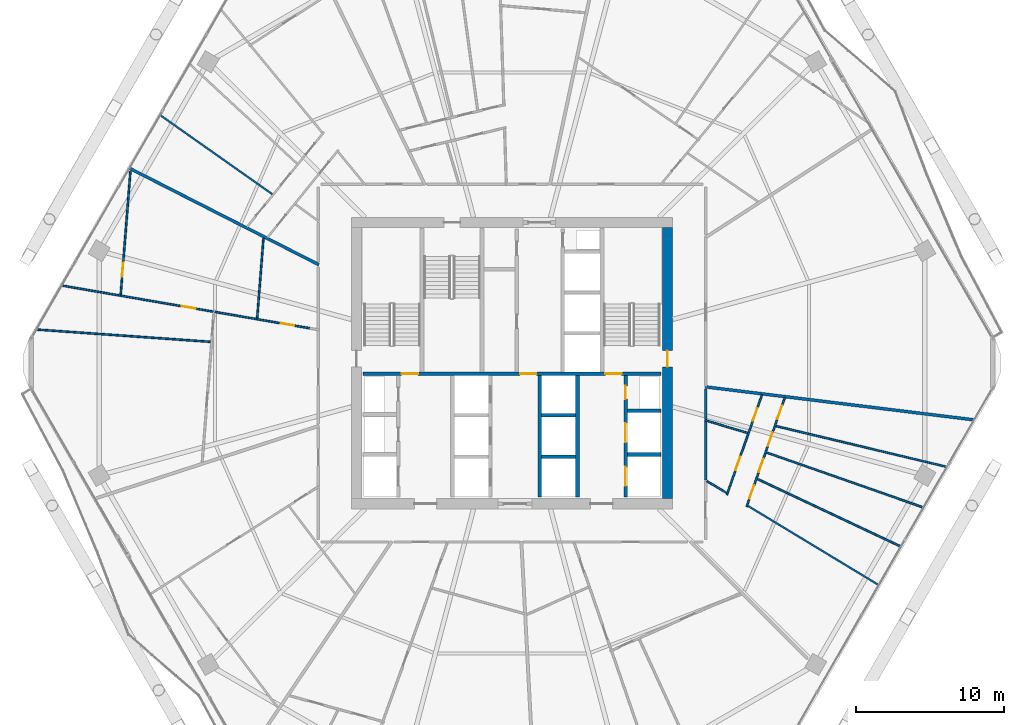
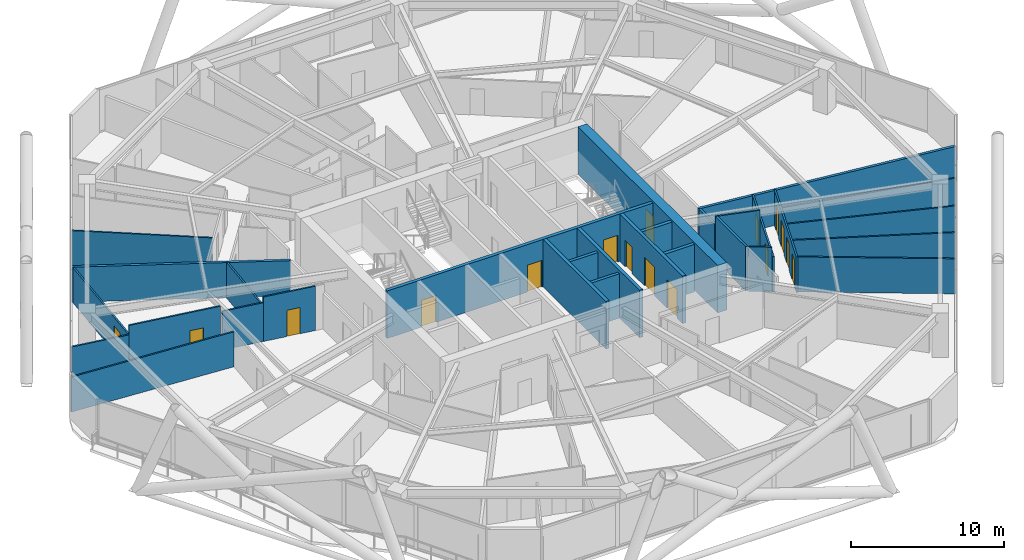
# One storey, part 29 of 35: 29 walls, 16 doors, 16 openings.
"""IFC4 building model written with IfcOpenShell, lengths in metres."""

from ifc_helpers import new_model, si_unit, direction, frame, frame_2d, origin, place, context, subcontext, project, spatial, rectangle, extrude, material, layer, layer_set, type_object, element, fill, save


model = new_model("IFC4")

# Units and contexts
model_context = context("Model", 3, precision=1e-05, world=origin(), true_north=direction((0.0, 1.0)))
body_context = subcontext(model_context, "Body", "Model", "MODEL_VIEW")
ifc_project = project(units=[si_unit("LENGTHUNIT", "METRE"), si_unit("AREAUNIT", "SQUARE_METRE"), si_unit("VOLUMEUNIT", "CUBIC_METRE"), si_unit("PLANEANGLEUNIT", "RADIAN"), si_unit("MASSUNIT", "GRAM", prefix="KILO")], contexts=[model_context])

# Site, building, storey
site_placement = place(None, origin())
site = spatial("IfcSite", under=ifc_project, at=site_placement, CompositionType="ELEMENT")
building_placement = place(site_placement, origin())
building = spatial("IfcBuilding", under=site, at=building_placement, Name="Zuhravey Tower", CompositionType="ELEMENT")
storey_placement = place(building_placement, frame((0.0, 0.0, 122.800048828125)))
storey = spatial("IfcBuildingStorey", under=building, at=storey_placement, Name="L30", CompositionType="ELEMENT", Elevation=122.800048828125)

# Wall, opening, door
ifc_material_1 = material(Name="Concrete C60/75", Category="concrete")
ifc_layer_1 = layer(ifc_material_1, 0.699951171875)
ifc_layer_set_1 = layer_set([ifc_layer_1], Name="Concrete C60/75")
wall_type_1 = type_object("IfcWallType", Name="Core Shear Wall 700", PredefinedType="SHEAR", material=ifc_layer_set_1)
wall_1_placement = place(storey_placement, frame((46.5, 22.85009765625, 0.0), z_axis=(0.0, 0.0, 1.0), x_axis=(0.0, 1.0, 0.0)))
wall_1 = element("IfcWall", 1, at=wall_1_placement, inside=storey, type_object=wall_type_1, Name="L30 East Core Shear Wall CW70", PredefinedType="SHEAR", context=body_context, shape_type="SweptSolid", body=[
    extrude(rectangle(XDim=18.2998046875, YDim=0.699951171875, at=frame_2d((9.14990234375, 0.0))), origin(), (0.0, 0.0, 1.0), 3.800048828125),
])
opening_1_placement = place(wall_1_placement, frame((8.89990234375, 0.0, 0.0)))
opening_1 = element("IfcOpeningElement", 2, at=opening_1_placement, cuts=wall_1, Name="Opening STD1", PredefinedType="OPENING", context=body_context, shape_type="SweptSolid", body=[
    extrude(rectangle(XDim=1.10009765625, YDim=2.14990234375, at=frame_2d((0.550048828125, 1.074951171875))), frame((0.0, 0.362060546875, 0.0), z_axis=(0.0, -1.0, 0.0), x_axis=(1.0, 0.0, 0.0)), (0.0, 0.0, 1.0), 0.723876953125),
])
ifc_material_2 = material(Name="Galvanised fire-rated steel leaf", Category="steel")
door_type_1 = type_object("IfcDoorType", Name="Protected Stair Fire Door 1100x2150", OperationType="NOTDEFINED", PredefinedType="USERDEFINED", material=ifc_material_2)
door_1_placement = place(opening_1_placement, origin())
door_1 = element("IfcDoor", 3, at=door_1_placement, inside=storey, type_object=door_type_1, Name="L30 Stair ST2 Door", ObjectType="EXITDOOR", OperationType="SINGLE_SWING_LEFT", OverallHeight=2.14990234375, OverallWidth=1.10009765625, PredefinedType="USERDEFINED", context=body_context, shape_type="SweptSolid", body=[
    extrude(rectangle(XDim=1.10009765625, YDim=2.14990234375, at=frame_2d((0.550048828125, 1.074951171875))), frame((0.0, 0.02490234375, 0.0), z_axis=(0.0, -1.0, 0.0), x_axis=(1.0, 0.0, 0.0)), (0.0, 0.0, 1.0), 0.050048828125),
])
fill(opening_1, door_1)

# Walls
ifc_material_3 = material(Name="Gypsum fire-rated stud partition")
ifc_layer_2 = layer(ifc_material_3, 0.159912109375)
ifc_layer_set_2 = layer_set([ifc_layer_2], Name="Gypsum fire-rated stud partition")
wall_type_2 = type_object("IfcWallType", Name="Corridor Fire Partition 160", PredefinedType="PARTITIONING", material=ifc_layer_set_2)
wall_2_placement = place(storey_placement, frame((49.080078125, 24.108154296875, 0.0), z_axis=(0.0, 0.0, 1.0), x_axis=(0.0, 1.0, 0.0)))
element("IfcWall", 4, at=wall_2_placement, inside=storey, type_object=wall_type_2, Name="L30 IW16 Partition 127", PredefinedType="PARTITIONING", context=body_context, shape_type="SweptSolid", body=[
    extrude(rectangle(XDim=3.94677734375, YDim=0.159912109375, at=frame_2d((1.973388671875, 0.0))), origin(), (0.0, 0.0, 1.0), 3.550048828125),
])
wall_3_placement = place(storey_placement, frame((49.080078125, 28.19677734375, 0.0), z_axis=(0.0, 0.0, 1.0), x_axis=(0.0, 1.0, 0.0)))
element("IfcWall", 5, at=wall_3_placement, inside=storey, type_object=wall_type_2, Name="L30 IW16 Partition 128", PredefinedType="PARTITIONING", context=body_context, shape_type="SweptSolid", body=[
    extrude(rectangle(XDim=2.06103515625, YDim=0.159912109375, at=frame_2d((1.030517578125, 0.0))), origin(), (0.0, 0.0, 1.0), 2.849853515625),
])

# Wall, openings, doors
ifc_material_4 = material(Name="Concrete C50/60", Category="concrete")
ifc_layer_3 = layer(ifc_material_4, 0.25)
ifc_layer_set_3 = layer_set([ifc_layer_3], Name="Concrete C50/60")
wall_type_3 = type_object("IfcWallType", Name="Firefighting Shaft & Stair Wall 250", PredefinedType="SOLIDWALL", material=ifc_layer_set_3)
wall_4_placement = place(storey_placement, frame((25.949951171875, 31.27490234375, 0.0), z_axis=(0.0, 0.0, 1.0), x_axis=(1.0, 0.0, 0.0)))
wall_4 = element("IfcWall", 6, at=wall_4_placement, inside=storey, type_object=wall_type_3, Name="L30 FW25 Shaft Wall 003", PredefinedType="SOLIDWALL", context=body_context, shape_type="SweptSolid", body=[
    extrude(rectangle(XDim=20.10009765625, YDim=0.25, at=frame_2d((10.050048828125, 0.0))), origin(), (0.0, 0.0, 1.0), 3.800048828125),
])
opening_2_placement = place(wall_4_placement, frame((2.60009765625, 0.0, 0.0)))
opening_2 = element("IfcOpeningElement", 7, at=opening_2_placement, cuts=wall_4, Name="Opening STD1", PredefinedType="OPENING", context=body_context, shape_type="SweptSolid", body=[
    extrude(rectangle(XDim=1.10009765625, YDim=2.14990234375, at=frame_2d((0.550048828125, 1.074951171875))), frame((0.0, 0.136962890625, 0.0), z_axis=(0.0, -1.0, 0.0), x_axis=(1.0, 0.0, 0.0)), (0.0, 0.0, 1.0), 0.27392578125),
])
opening_3_placement = place(wall_4_placement, frame((10.60009765625, 0.0, 0.0)))
opening_3 = element("IfcOpeningElement", 8, at=opening_3_placement, cuts=wall_4, Name="Opening STD1", PredefinedType="OPENING", context=body_context, shape_type="SweptSolid", body=[
    extrude(rectangle(XDim=1.10009765625, YDim=2.14990234375, at=frame_2d((0.550048828125, 1.074951171875))), frame((0.0, 0.136962890625, 0.0), z_axis=(0.0, -1.0, 0.0), x_axis=(1.0, 0.0, 0.0)), (0.0, 0.0, 1.0), 0.27392578125),
])
opening_4_placement = place(wall_4_placement, frame((16.35009765625, 0.0, 0.0)))
opening_4 = element("IfcOpeningElement", 9, at=opening_4_placement, cuts=wall_4, Name="Opening STD1", PredefinedType="OPENING", context=body_context, shape_type="SweptSolid", body=[
    extrude(rectangle(XDim=1.10009765625, YDim=2.14990234375, at=frame_2d((0.550048828125, 1.074951171875))), frame((0.0, 0.136962890625, 0.0), z_axis=(0.0, -1.0, 0.0), x_axis=(1.0, 0.0, 0.0)), (0.0, 0.0, 1.0), 0.27392578125),
])
door_2_placement = place(opening_2_placement, origin())
door_2 = element("IfcDoor", 10, at=door_2_placement, inside=storey, type_object=door_type_1, Name="L30 FFL-W to ST1 Door", ObjectType="EXITDOOR", OperationType="SINGLE_SWING_LEFT", OverallHeight=2.14990234375, OverallWidth=1.10009765625, PredefinedType="USERDEFINED", context=body_context, shape_type="SweptSolid", body=[
    extrude(rectangle(XDim=1.10009765625, YDim=2.14990234375, at=frame_2d((0.550048828125, 1.074951171875))), frame((0.0, 0.02490234375, 0.0), z_axis=(0.0, -1.0, 0.0), x_axis=(1.0, 0.0, 0.0)), (0.0, 0.0, 1.0), 0.050048828125),
])
fill(opening_2, door_2)
door_3_placement = place(opening_3_placement, origin())
door_3 = element("IfcDoor", 11, at=door_3_placement, inside=storey, type_object=door_type_1, Name="L30 Core Lobby Link Door", ObjectType="EXITDOOR", OperationType="SINGLE_SWING_RIGHT", OverallHeight=2.14990234375, OverallWidth=1.10009765625, PredefinedType="USERDEFINED", context=body_context, shape_type="SweptSolid", body=[
    extrude(rectangle(XDim=1.10009765625, YDim=2.14990234375, at=frame_2d((0.550048828125, 1.074951171875))), frame((0.0, 0.02490234375, 0.0), z_axis=(0.0, -1.0, 0.0), x_axis=(1.0, 0.0, 0.0)), (0.0, 0.0, 1.0), 0.050048828125),
])
fill(opening_3, door_3)
door_4_placement = place(opening_4_placement, origin())
door_4 = element("IfcDoor", 12, at=door_4_placement, inside=storey, type_object=door_type_1, Name="L30 FFL-E to ST2 Door", ObjectType="EXITDOOR", OperationType="SINGLE_SWING_LEFT", OverallHeight=2.14990234375, OverallWidth=1.10009765625, PredefinedType="USERDEFINED", context=body_context, shape_type="SweptSolid", body=[
    extrude(rectangle(XDim=1.10009765625, YDim=2.14990234375, at=frame_2d((0.550048828125, 1.074951171875))), frame((0.0, 0.02490234375, 0.0), z_axis=(0.0, -1.0, 0.0), x_axis=(1.0, 0.0, 0.0)), (0.0, 0.0, 1.0), 0.050048828125),
])
fill(opening_4, door_4)

# Walls
for number, where, z_axis, x_axis, name in (
    (13, (37.875, 22.949951171875, 0.0), (0.0, 0.0, 1.0), (0.0, 1.0, 0.0), "L30 FW25 Shaft Wall 014"),
    (14, (40.425048828125, 22.949951171875, 0.0), (0.0, 0.0, 1.0), (0.0, 1.0, 0.0), "L30 FW25 Shaft Wall 015"),
):
    element("IfcWall", number, at=place(storey_placement, frame(where, z_axis=z_axis, x_axis=x_axis)), inside=storey, type_object=wall_type_3, Name=name, PredefinedType="SOLIDWALL", context=body_context, shape_type="SweptSolid", body=[
        extrude(rectangle(XDim=8.199951171875, YDim=0.25, at=frame_2d((4.10009765625, 0.0))), origin(), (0.0, 0.0, 1.0), 3.800048828125),
    ])
for number, where, z_axis, x_axis, name in (
    (15, (43.800048828125, 25.824951171875, 0.0), (0.0, 0.0, 1.0), (1.0, 0.0, 0.0), "L30 FW25 Shaft Wall 016"),
    (16, (43.800048828125, 28.77490234375, 0.0), (0.0, 0.0, 1.0), (1.0, 0.0, 0.0), "L30 FW25 Shaft Wall 017"),
):
    element("IfcWall", number, at=place(storey_placement, frame(where, z_axis=z_axis, x_axis=x_axis)), inside=storey, type_object=wall_type_3, Name=name, PredefinedType="SOLIDWALL", context=body_context, shape_type="SweptSolid", body=[
        extrude(rectangle(XDim=2.25, YDim=0.25, at=frame_2d((1.125, 0.0))), origin(), (0.0, 0.0, 1.0), 3.800048828125),
    ])

# Wall, openings, doors
wall_5_placement = place(storey_placement, frame((43.675048828125, 22.949951171875, 0.0), z_axis=(0.0, 0.0, 1.0), x_axis=(0.0, 1.0, 0.0)))
wall_5 = element("IfcWall", 17, at=wall_5_placement, inside=storey, type_object=wall_type_3, Name="L30 FW25 Shaft Wall 018", PredefinedType="SOLIDWALL", context=body_context, shape_type="SweptSolid", body=[
    extrude(rectangle(XDim=8.199951171875, YDim=0.25, at=frame_2d((4.10009765625, 0.0))), origin(), (0.0, 0.0, 1.0), 3.800048828125),
])
opening_5_placement = place(wall_5_placement, frame((0.75, 0.0, 0.0)))
opening_5 = element("IfcOpeningElement", 18, at=opening_5_placement, cuts=wall_5, Name="Opening LD2", PredefinedType="OPENING", context=body_context, shape_type="SweptSolid", body=[
    extrude(rectangle(XDim=1.300048828125, YDim=2.300048828125, at=frame_2d((0.64990234375, 1.14990234375))), frame((0.0, 0.136962890625, 0.0), z_axis=(0.0, -1.0, 0.0), x_axis=(1.0, 0.0, 0.0)), (0.0, 0.0, 1.0), 0.27392578125),
])
opening_6_placement = place(wall_5_placement, frame((3.699951171875, 0.0, 0.0)))
opening_6 = element("IfcOpeningElement", 19, at=opening_6_placement, cuts=wall_5, Name="Opening LD2", PredefinedType="OPENING", context=body_context, shape_type="SweptSolid", body=[
    extrude(rectangle(XDim=1.300048828125, YDim=2.300048828125, at=frame_2d((0.64990234375, 1.14990234375))), frame((0.0, 0.136962890625, 0.0), z_axis=(0.0, -1.0, 0.0), x_axis=(1.0, 0.0, 0.0)), (0.0, 0.0, 1.0), 0.27392578125),
])
opening_7_placement = place(wall_5_placement, frame((6.6201171875, 0.0, 0.0)))
opening_7 = element("IfcOpeningElement", 20, at=opening_7_placement, cuts=wall_5, Name="Opening RSD1", PredefinedType="OPENING", context=body_context, shape_type="SweptSolid", body=[
    extrude(rectangle(XDim=0.89990234375, YDim=2.10009765625, at=frame_2d((0.449951171875, 1.050048828125))), frame((0.0, 0.136962890625, 0.0), z_axis=(0.0, -1.0, 0.0), x_axis=(1.0, 0.0, 0.0)), (0.0, 0.0, 1.0), 0.27392578125),
])
ifc_material_5 = material(Name="Brushed stainless steel", Category="steel")
door_type_2 = type_object("IfcDoorType", Name="Freight & Stretcher Lift Sliding Door 1300x2300", OperationType="DOUBLE_DOOR_SLIDING", PredefinedType="DOOR", material=ifc_material_5)
door_5_placement = place(opening_5_placement, origin())
door_5 = element("IfcDoor", 21, at=door_5_placement, inside=storey, type_object=door_type_2, Name="L30 Lift FF2 Landing Door", OperationType="DOUBLE_DOOR_SLIDING", OverallHeight=2.300048828125, OverallWidth=1.300048828125, PredefinedType="DOOR", context=body_context, shape_type="SweptSolid", body=[
    extrude(rectangle(XDim=1.300048828125, YDim=2.300048828125, at=frame_2d((0.64990234375, 1.14990234375))), frame((0.0, 0.02490234375, 0.0), z_axis=(0.0, -1.0, 0.0), x_axis=(1.0, 0.0, 0.0)), (0.0, 0.0, 1.0), 0.050048828125),
])
fill(opening_5, door_5)
door_6_placement = place(opening_6_placement, origin())
door_6 = element("IfcDoor", 22, at=door_6_placement, inside=storey, type_object=door_type_2, Name="L30 Lift SV1 Landing Door", OperationType="DOUBLE_DOOR_SLIDING", OverallHeight=2.300048828125, OverallWidth=1.300048828125, PredefinedType="DOOR", context=body_context, shape_type="SweptSolid", body=[
    extrude(rectangle(XDim=1.300048828125, YDim=2.300048828125, at=frame_2d((0.64990234375, 1.14990234375))), frame((0.0, 0.02490234375, 0.0), z_axis=(0.0, -1.0, 0.0), x_axis=(1.0, 0.0, 0.0)), (0.0, 0.0, 1.0), 0.050048828125),
])
fill(opening_6, door_6)
ifc_material_6 = material(Name="Galvanised fire-rated steel access leaf", Category="steel")
door_type_3 = type_object("IfcDoorType", Name="Riser & Shaft Access Fire Door 900x2100", OperationType="NOTDEFINED", PredefinedType="DOOR", material=ifc_material_6)
door_7_placement = place(opening_7_placement, origin())
door_7 = element("IfcDoor", 23, at=door_7_placement, inside=storey, type_object=door_type_3, Name="L30 Plumbing Riser Door", OperationType="SINGLE_SWING_LEFT", OverallHeight=2.10009765625, OverallWidth=0.89990234375, PredefinedType="DOOR", context=body_context, shape_type="SweptSolid", body=[
    extrude(rectangle(XDim=0.89990234375, YDim=2.10009765625, at=frame_2d((0.449951171875, 1.050048828125))), frame((0.0, 0.02490234375, 0.0), z_axis=(0.0, -1.0, 0.0), x_axis=(1.0, 0.0, 0.0)), (0.0, 0.0, 1.0), 0.050048828125),
])
fill(opening_7, door_7)

# Walls
ifc_material_7 = material(Name="Gypsum double-stud party assembly")
ifc_layer_4 = layer(ifc_material_7, 0.199951171875)
ifc_layer_set_4 = layer_set([ifc_layer_4], Name="Gypsum double-stud party assembly")
wall_type_4 = type_object("IfcWallType", Name="Inter-Tenancy Party Wall 200", PredefinedType="PARTITIONING", material=ifc_layer_set_4)
wall_6_placement = place(storey_placement, frame((22.9599609375, 38.644287109375, 0.0), z_axis=(0.0, 0.0, 1.0), x_axis=(-0.891012124705, 0.453979507939, 0.0)))
element("IfcWall", 24, at=wall_6_placement, inside=storey, type_object=wall_type_4, Name="L30 IW20 Partition 087", PredefinedType="PARTITIONING", context=body_context, shape_type="SweptSolid", body=[
    extrude(rectangle(XDim=14.363037109375, YDim=0.199951171875, at=frame_2d((7.181640625, 0.0))), origin(), (0.0, 0.0, 1.0), 2.800048828125),
])
wall_7_placement = place(storey_placement, frame((49.0400390625, 30.39892578125, 0.0), z_axis=(0.0, 0.0, 1.0), x_axis=(0.99254551981, -0.121874489148, 0.0)))
element("IfcWall", 25, at=wall_7_placement, inside=storey, type_object=wall_type_4, Name="L30 IW20 Partition 113", PredefinedType="PARTITIONING", context=body_context, shape_type="SweptSolid", body=[
    extrude(rectangle(XDim=18.3212890625, YDim=0.199951171875, at=frame_2d((9.16064453125, 0.0))), origin(), (0.0, 0.0, 1.0), 2.800048828125),
])
ifc_material_8 = material(Name="Gypsum acoustic stud assembly")
ifc_layer_5 = layer(ifc_material_8, 0.219970703125)
ifc_layer_set_5 = layer_set([ifc_layer_5], Name="Gypsum acoustic stud assembly")
wall_type_5 = type_object("IfcWallType", Name="School Acoustic Compartment Wall 220", PredefinedType="PARTITIONING", material=ifc_layer_set_5)
for number, where, z_axis, x_axis, name in (
    (26, (38.008056640625, 25.675048828125, 0.0), (0.0, 0.0, 1.0), (1.0, 0.0, 0.0), "L30 IW22 Partition 065"),
    (27, (38.008056640625, 28.47509765625, 0.0), (0.0, 0.0, 1.0), (1.0, 0.0, 0.0), "L30 IW22 Partition 066"),
):
    element("IfcWall", number, at=place(storey_placement, frame(where, z_axis=z_axis, x_axis=x_axis)), inside=storey, type_object=wall_type_5, Name=name, PredefinedType="PARTITIONING", context=body_context, shape_type="SweptSolid", body=[
        extrude(rectangle(XDim=2.283935546875, YDim=0.219970703125, at=frame_2d((1.14208984375, 0.0))), origin(), (0.0, 0.0, 1.0), 3.550048828125),
    ])

# Wall, opening, door
ifc_material_9 = material(Name="Gypsum metal-stud partition")
ifc_layer_6 = layer(ifc_material_9, 0.1201171875)
ifc_layer_set_6 = layer_set([ifc_layer_6], Name="Gypsum metal-stud partition")
wall_type_6 = type_object("IfcWallType", Name="Unit Internal Partition 120", PredefinedType="PARTITIONING", material=ifc_layer_set_6)
wall_8_placement = place(storey_placement, frame((22.35009765625, 34.352783203125, 0.0), z_axis=(0.0, 0.0, 1.0), x_axis=(-0.985463207412, 0.169888983862, 0.0)))
wall_8 = element("IfcWall", 28, at=wall_8_placement, inside=storey, type_object=wall_type_6, Name="L30 IW12 Partition 034", PredefinedType="PARTITIONING", context=body_context, shape_type="SweptSolid", body=[
    extrude(rectangle(XDim=3.647216796875, YDim=0.1201171875, at=frame_2d((1.82373046875, 0.0))), origin(), (0.0, 0.0, 1.0), 3.550048828125),
])
opening_8_placement = place(wall_8_placement, frame((1.081787109375, 0.0, 0.0)))
opening_8 = element("IfcOpeningElement", 29, at=opening_8_placement, cuts=wall_8, Name="Opening WCD1", PredefinedType="OPENING", context=body_context, shape_type="SweptSolid", body=[
    extrude(rectangle(XDim=0.89990234375, YDim=2.10009765625, at=frame_2d((0.449951171875, 1.050048828125))), frame((0.0, 0.072021484375, 0.0), z_axis=(0.0, -1.0, 0.0), x_axis=(1.0, 0.0, 0.0)), (0.0, 0.0, 1.0), 0.14404296875),
])
ifc_material_10 = material(Name="Moisture-resistant timber leaf", Category="wood")
door_type_4 = type_object("IfcDoorType", Name="Bathroom & WC Internal Door 900x2100", OperationType="NOTDEFINED", PredefinedType="DOOR", material=ifc_material_10)
door_8_placement = place(opening_8_placement, frame((0.89990234375, 0.0, 0.0), z_axis=(0.0, 0.0, 1.0), x_axis=(-1.0, 0.0, 0.0)))
door_8 = element("IfcDoor", 30, at=door_8_placement, inside=storey, type_object=door_type_4, Name="Apartment L30-04 Bathroom Door", OperationType="SINGLE_SWING_LEFT", OverallHeight=2.10009765625, OverallWidth=0.89990234375, PredefinedType="DOOR", context=body_context, shape_type="SweptSolid", body=[
    extrude(rectangle(XDim=0.89990234375, YDim=2.10009765625, at=frame_2d((0.449951171875, 1.050048828125))), frame((0.0, 0.02490234375, 0.0), z_axis=(0.0, -1.0, 0.0), x_axis=(1.0, 0.0, 0.0)), (0.0, 0.0, 1.0), 0.050048828125),
])
fill(opening_8, door_8)

# Wall
wall_9_placement = place(storey_placement, frame((18.755859375, 34.972412109375, 0.0), z_axis=(0.0, 0.0, 1.0), x_axis=(-0.985473922691, 0.169826816774, 0.0)))
element("IfcWall", 31, at=wall_9_placement, inside=storey, type_object=wall_type_6, Name="L30 IW12 Partition 035", PredefinedType="PARTITIONING", context=body_context, shape_type="SweptSolid", body=[
    extrude(rectangle(XDim=2.85791015625, YDim=0.1201171875, at=frame_2d((1.428955078125, 0.0))), origin(), (0.0, 0.0, 1.0), 3.099853515625),
])

# Wall, opening, door
wall_10_placement = place(storey_placement, frame((15.804931640625, 35.48095703125, 0.0), z_axis=(0.0, 0.0, 1.0), x_axis=(-0.985468091592, 0.169860650105, 0.0)))
wall_10 = element("IfcWall", 32, at=wall_10_placement, inside=storey, type_object=wall_type_6, Name="L30 IW12 Partition 036", PredefinedType="PARTITIONING", context=body_context, shape_type="SweptSolid", body=[
    extrude(rectangle(XDim=6.361572265625, YDim=0.1201171875, at=frame_2d((3.1806640625, 0.0))), origin(), (0.0, 0.0, 1.0), 3.550048828125),
])
opening_9_placement = place(wall_10_placement, frame((1.18359375, 0.0, 0.0)))
opening_9 = element("IfcOpeningElement", 33, at=opening_9_placement, cuts=wall_10, Name="Opening IND1", PredefinedType="OPENING", context=body_context, shape_type="SweptSolid", body=[
    extrude(rectangle(XDim=0.949951171875, YDim=2.10009765625, at=frame_2d((0.47509765625, 1.050048828125))), frame((0.0, 0.072021484375, 0.0), z_axis=(0.0, -1.0, 0.0), x_axis=(1.0, 0.0, 0.0)), (0.0, 0.0, 1.0), 0.14404296875),
])
ifc_material_11 = material(Name="Painted engineered timber leaf", Category="wood")
door_type_5 = type_object("IfcDoorType", Name="Internal Room & Bedroom Door 950x2100", OperationType="NOTDEFINED", PredefinedType="DOOR", material=ifc_material_11)
door_9_placement = place(opening_9_placement, frame((0.949951171875, 0.0, 0.0), z_axis=(0.0, 0.0, 1.0), x_axis=(-1.0, 0.0, 0.0)))
door_9 = element("IfcDoor", 34, at=door_9_placement, inside=storey, type_object=door_type_5, Name="Apartment L30-04 Home Office Door", OperationType="SINGLE_SWING_RIGHT", OverallHeight=2.10009765625, OverallWidth=0.949951171875, PredefinedType="DOOR", context=body_context, shape_type="SweptSolid", body=[
    extrude(rectangle(XDim=0.949951171875, YDim=2.10009765625, at=frame_2d((0.47509765625, 1.050048828125))), frame((0.0, 0.02490234375, 0.0), z_axis=(0.0, -1.0, 0.0), x_axis=(1.0, 0.0, 0.0)), (0.0, 0.0, 1.0), 0.050048828125),
])
fill(opening_9, door_9)

wall_11_placement = place(storey_placement, frame((10.22216796875, 44.964111328125, 0.0), z_axis=(0.0, 0.0, 1.0), x_axis=(-0.078457448152, -0.996917463399, 0.0)))
wall_11 = element("IfcWall", 35, at=wall_11_placement, inside=storey, type_object=wall_type_6, Name="L30 IW12 Partition 037", PredefinedType="PARTITIONING", context=body_context, shape_type="SweptSolid", body=[
    extrude(rectangle(XDim=8.364501953125, YDim=0.1201171875, at=frame_2d((4.18212890625, 0.0))), origin(), (0.0, 0.0, 1.0), 2.800048828125),
])
opening_10_placement = place(wall_11_placement, frame((6.211669921875, 0.0, 0.0)))
opening_10 = element("IfcOpeningElement", 36, at=opening_10_placement, cuts=wall_11, Name="Opening IND1", PredefinedType="OPENING", context=body_context, shape_type="SweptSolid", body=[
    extrude(rectangle(XDim=0.949951171875, YDim=2.10009765625, at=frame_2d((0.47509765625, 1.050048828125))), frame((0.0, 0.072021484375, 0.0), z_axis=(0.0, -1.0, 0.0), x_axis=(1.0, 0.0, 0.0)), (0.0, 0.0, 1.0), 0.14404296875),
])
door_10_placement = place(opening_10_placement, frame((0.949951171875, 0.0, 0.0), z_axis=(0.0, 0.0, 1.0), x_axis=(-1.0, 0.0, 0.0)))
door_10 = element("IfcDoor", 37, at=door_10_placement, inside=storey, type_object=door_type_5, Name="Apartment L30-04 Bedroom 1 Door", OperationType="SINGLE_SWING_LEFT", OverallHeight=2.10009765625, OverallWidth=0.949951171875, PredefinedType="DOOR", context=body_context, shape_type="SweptSolid", body=[
    extrude(rectangle(XDim=0.949951171875, YDim=2.10009765625, at=frame_2d((0.47509765625, 1.050048828125))), frame((0.0, 0.02490234375, 0.0), z_axis=(0.0, -1.0, 0.0), x_axis=(1.0, 0.0, 0.0)), (0.0, 0.0, 1.0), 0.050048828125),
])
fill(opening_10, door_10)

# Wall, openings, doors
wall_12_placement = place(storey_placement, frame((50.513916015625, 23.10009765625, 0.0), z_axis=(0.0, 0.0, 1.0), x_axis=(0.331189129745, 0.943564391199, 0.0)))
wall_12 = element("IfcWall", 38, at=wall_12_placement, inside=storey, type_object=wall_type_6, Name="L30 IW12 Partition 055", PredefinedType="PARTITIONING", context=body_context, shape_type="SweptSolid", body=[
    extrude(rectangle(XDim=7.18212890625, YDim=0.1201171875, at=frame_2d((3.591064453125, 0.0))), origin(), (0.0, 0.0, 1.0), 2.849853515625),
])
opening_11_placement = place(wall_12_placement, frame((1.78466796875, 0.0, 0.0)))
opening_11 = element("IfcOpeningElement", 39, at=opening_11_placement, cuts=wall_12, Name="Opening IND1", PredefinedType="OPENING", context=body_context, shape_type="SweptSolid", body=[
    extrude(rectangle(XDim=0.949951171875, YDim=2.10009765625, at=frame_2d((0.47509765625, 1.050048828125))), frame((0.0, 0.072021484375, 0.0), z_axis=(0.0, -1.0, 0.0), x_axis=(1.0, 0.0, 0.0)), (0.0, 0.0, 1.0), 0.14404296875),
])
opening_12_placement = place(wall_12_placement, frame((5.298583984375, 0.0, 0.0)))
opening_12 = element("IfcOpeningElement", 40, at=opening_12_placement, cuts=wall_12, Name="Opening WCD1", PredefinedType="OPENING", context=body_context, shape_type="SweptSolid", body=[
    extrude(rectangle(XDim=0.89990234375, YDim=2.10009765625, at=frame_2d((0.449951171875, 1.050048828125))), frame((0.0, 0.072021484375, 0.0), z_axis=(0.0, -1.0, 0.0), x_axis=(1.0, 0.0, 0.0)), (0.0, 0.0, 1.0), 0.14404296875),
])
door_11_placement = place(opening_12_placement, origin())
door_11 = element("IfcDoor", 41, at=door_11_placement, inside=storey, type_object=door_type_4, Name="Apartment L30-08 Bathroom Door", OperationType="SINGLE_SWING_RIGHT", OverallHeight=2.10009765625, OverallWidth=0.89990234375, PredefinedType="DOOR", context=body_context, shape_type="SweptSolid", body=[
    extrude(rectangle(XDim=0.89990234375, YDim=2.10009765625, at=frame_2d((0.449951171875, 1.050048828125))), frame((0.0, 0.02490234375, 0.0), z_axis=(0.0, -1.0, 0.0), x_axis=(1.0, 0.0, 0.0)), (0.0, 0.0, 1.0), 0.050048828125),
])
fill(opening_12, door_11)
door_12_placement = place(opening_11_placement, origin())
door_12 = element("IfcDoor", 42, at=door_12_placement, inside=storey, type_object=door_type_5, Name="Apartment L30-08 Kitchen Door", OperationType="SINGLE_SWING_LEFT", OverallHeight=2.10009765625, OverallWidth=0.949951171875, PredefinedType="DOOR", context=body_context, shape_type="SweptSolid", body=[
    extrude(rectangle(XDim=0.949951171875, YDim=2.10009765625, at=frame_2d((0.47509765625, 1.050048828125))), frame((0.0, 0.02490234375, 0.0), z_axis=(0.0, -1.0, 0.0), x_axis=(1.0, 0.0, 0.0)), (0.0, 0.0, 1.0), 0.050048828125),
])
fill(opening_11, door_12)

wall_13_placement = place(storey_placement, frame((51.8427734375, 22.2958984375, 0.0), z_axis=(0.0, 0.0, 1.0), x_axis=(0.331165256289, 0.943572770393, 0.0)))
wall_13 = element("IfcWall", 43, at=wall_13_placement, inside=storey, type_object=wall_type_6, Name="L30 IW12 Partition 056", PredefinedType="PARTITIONING", context=body_context, shape_type="SweptSolid", body=[
    extrude(rectangle(XDim=7.819580078125, YDim=0.1201171875, at=frame_2d((3.90966796875, 0.0))), origin(), (0.0, 0.0, 1.0), 2.849853515625),
])
opening_13_placement = place(wall_13_placement, frame((0.588134765625, 0.0, 0.0)))
opening_13 = element("IfcOpeningElement", 44, at=opening_13_placement, cuts=wall_13, Name="Opening IND1", PredefinedType="OPENING", context=body_context, shape_type="SweptSolid", body=[
    extrude(rectangle(XDim=0.949951171875, YDim=2.10009765625, at=frame_2d((0.47509765625, 1.050048828125))), frame((0.0, 0.072021484375, 0.0), z_axis=(0.0, -1.0, 0.0), x_axis=(1.0, 0.0, 0.0)), (0.0, 0.0, 1.0), 0.14404296875),
])
opening_14_placement = place(wall_13_placement, frame((2.492919921875, 0.0, 0.0)))
opening_14 = element("IfcOpeningElement", 45, at=opening_14_placement, cuts=wall_13, Name="Opening IND1", PredefinedType="OPENING", context=body_context, shape_type="SweptSolid", body=[
    extrude(rectangle(XDim=0.949951171875, YDim=2.10009765625, at=frame_2d((0.47509765625, 1.050048828125))), frame((0.0, 0.072021484375, 0.0), z_axis=(0.0, -1.0, 0.0), x_axis=(1.0, 0.0, 0.0)), (0.0, 0.0, 1.0), 0.14404296875),
])
opening_15_placement = place(wall_13_placement, frame((4.376708984375, 0.0, 0.0)))
opening_15 = element("IfcOpeningElement", 46, at=opening_15_placement, cuts=wall_13, Name="Opening IND1", PredefinedType="OPENING", context=body_context, shape_type="SweptSolid", body=[
    extrude(rectangle(XDim=0.949951171875, YDim=2.10009765625, at=frame_2d((0.47509765625, 1.050048828125))), frame((0.0, 0.072021484375, 0.0), z_axis=(0.0, -1.0, 0.0), x_axis=(1.0, 0.0, 0.0)), (0.0, 0.0, 1.0), 0.14404296875),
])
opening_16_placement = place(wall_13_placement, frame((6.28125, 0.0, 0.0)))
opening_16 = element("IfcOpeningElement", 47, at=opening_16_placement, cuts=wall_13, Name="Opening IND1", PredefinedType="OPENING", context=body_context, shape_type="SweptSolid", body=[
    extrude(rectangle(XDim=0.949951171875, YDim=2.10009765625, at=frame_2d((0.47509765625, 1.050048828125))), frame((0.0, 0.072021484375, 0.0), z_axis=(0.0, -1.0, 0.0), x_axis=(1.0, 0.0, 0.0)), (0.0, 0.0, 1.0), 0.14404296875),
])
door_13_placement = place(opening_13_placement, frame((0.949951171875, 0.0, 0.0), z_axis=(0.0, 0.0, 1.0), x_axis=(-1.0, 0.0, 0.0)))
door_13 = element("IfcDoor", 48, at=door_13_placement, inside=storey, type_object=door_type_5, Name="Apartment L30-08 Bedroom 1 Door", OperationType="SINGLE_SWING_LEFT", OverallHeight=2.10009765625, OverallWidth=0.949951171875, PredefinedType="DOOR", context=body_context, shape_type="SweptSolid", body=[
    extrude(rectangle(XDim=0.949951171875, YDim=2.10009765625, at=frame_2d((0.47509765625, 1.050048828125))), frame((0.0, 0.02490234375, 0.0), z_axis=(0.0, -1.0, 0.0), x_axis=(1.0, 0.0, 0.0)), (0.0, 0.0, 1.0), 0.050048828125),
])
fill(opening_13, door_13)
door_14_placement = place(opening_14_placement, frame((0.949951171875, 0.0, 0.0), z_axis=(0.0, 0.0, 1.0), x_axis=(-1.0, 0.0, 0.0)))
door_14 = element("IfcDoor", 49, at=door_14_placement, inside=storey, type_object=door_type_5, Name="Apartment L30-08 Bedroom 2 Door", OperationType="SINGLE_SWING_RIGHT", OverallHeight=2.10009765625, OverallWidth=0.949951171875, PredefinedType="DOOR", context=body_context, shape_type="SweptSolid", body=[
    extrude(rectangle(XDim=0.949951171875, YDim=2.10009765625, at=frame_2d((0.47509765625, 1.050048828125))), frame((0.0, 0.02490234375, 0.0), z_axis=(0.0, -1.0, 0.0), x_axis=(1.0, 0.0, 0.0)), (0.0, 0.0, 1.0), 0.050048828125),
])
fill(opening_14, door_14)
door_15_placement = place(opening_15_placement, frame((0.949951171875, 0.0, 0.0), z_axis=(0.0, 0.0, 1.0), x_axis=(-1.0, 0.0, 0.0)))
door_15 = element("IfcDoor", 50, at=door_15_placement, inside=storey, type_object=door_type_5, Name="Apartment L30-08 Bedroom 3 Door", OperationType="SINGLE_SWING_LEFT", OverallHeight=2.10009765625, OverallWidth=0.949951171875, PredefinedType="DOOR", context=body_context, shape_type="SweptSolid", body=[
    extrude(rectangle(XDim=0.949951171875, YDim=2.10009765625, at=frame_2d((0.47509765625, 1.050048828125))), frame((0.0, 0.02490234375, 0.0), z_axis=(0.0, -1.0, 0.0), x_axis=(1.0, 0.0, 0.0)), (0.0, 0.0, 1.0), 0.050048828125),
])
fill(opening_15, door_15)
door_16_placement = place(opening_16_placement, frame((0.949951171875, 0.0, 0.0), z_axis=(0.0, 0.0, 1.0), x_axis=(-1.0, 0.0, 0.0)))
door_16 = element("IfcDoor", 51, at=door_16_placement, inside=storey, type_object=door_type_5, Name="Apartment L30-08 Bedroom 4 Door", OperationType="SINGLE_SWING_RIGHT", OverallHeight=2.10009765625, OverallWidth=0.949951171875, PredefinedType="DOOR", context=body_context, shape_type="SweptSolid", body=[
    extrude(rectangle(XDim=0.949951171875, YDim=2.10009765625, at=frame_2d((0.47509765625, 1.050048828125))), frame((0.0, 0.02490234375, 0.0), z_axis=(0.0, -1.0, 0.0), x_axis=(1.0, 0.0, 0.0)), (0.0, 0.0, 1.0), 0.050048828125),
])
fill(opening_16, door_16)

# Walls
wall_14_placement = place(storey_placement, frame((19.808837890625, 43.4130859375, 0.0), z_axis=(0.0, 0.0, 1.0), x_axis=(-0.817344716763, 0.57614895121, 0.0)))
element("IfcWall", 52, at=wall_14_placement, inside=storey, type_object=wall_type_6, Name="L30 IW12 Partition 083", PredefinedType="PARTITIONING", context=body_context, shape_type="SweptSolid", body=[
    extrude(rectangle(XDim=9.27783203125, YDim=0.1201171875, at=frame_2d((4.638916015625, 0.0))), origin(), (0.0, 0.0, 1.0), 2.800048828125),
])
wall_15_placement = place(storey_placement, frame((15.64404296875, 33.43798828125, 0.0), z_axis=(0.0, 0.0, 1.0), x_axis=(-0.997515449917, 0.070448045941, 0.0)))
element("IfcWall", 53, at=wall_15_placement, inside=storey, type_object=wall_type_6, Name="L30 IW12 Partition 088", PredefinedType="PARTITIONING", context=body_context, shape_type="SweptSolid", body=[
    extrude(rectangle(XDim=11.834716796875, YDim=0.1201171875, at=frame_2d((5.91748046875, 0.0))), origin(), (0.0, 0.0, 1.0), 2.800048828125),
])
wall_16_placement = place(storey_placement, frame((9.535888671875, 36.5615234375, 0.0), z_axis=(0.0, 0.0, 1.0), x_axis=(-0.985463631193, 0.169886525644, 0.0)))
element("IfcWall", 54, at=wall_16_placement, inside=storey, type_object=wall_type_6, Name="L30 IW12 Partition 090", PredefinedType="PARTITIONING", context=body_context, shape_type="SweptSolid", body=[
    extrude(rectangle(XDim=4.009521484375, YDim=0.1201171875, at=frame_2d((2.0048828125, 0.0))), origin(), (0.0, 0.0, 1.0), 2.800048828125),
])
wall_17_placement = place(storey_placement, frame((19.210693359375, 40.433349609375, 0.0), z_axis=(0.0, 0.0, 1.0), x_axis=(-0.078465431449, -0.996916835081, 0.0)))
element("IfcWall", 55, at=wall_17_placement, inside=storey, type_object=wall_type_6, Name="L30 IW12 Partition 091", PredefinedType="PARTITIONING", context=body_context, shape_type="SweptSolid", body=[
    extrude(rectangle(XDim=5.413818359375, YDim=0.1201171875, at=frame_2d((2.70703125, 0.0))), origin(), (0.0, 0.0, 1.0), 2.849853515625),
])
wall_18_placement = place(storey_placement, frame((49.030029296875, 28.140625, 0.0), z_axis=(0.0, 0.0, 1.0), x_axis=(0.958846452048, -0.283925133433, 0.0)))
element("IfcWall", 56, at=wall_18_placement, inside=storey, type_object=wall_type_6, Name="L30 IW12 Partition 107", PredefinedType="PARTITIONING", context=body_context, shape_type="SweptSolid", body=[
    extrude(rectangle(XDim=3.00537109375, YDim=0.1201171875, at=frame_2d((1.502685546875, 0.0))), origin(), (0.0, 0.0, 1.0), 3.550048828125),
])
wall_19_placement = place(storey_placement, frame((52.57568359375, 24.178955078125, 0.0), z_axis=(0.0, 0.0, 1.0), x_axis=(0.904375150032, -0.42673831326, 0.0)))
element("IfcWall", 57, at=wall_19_placement, inside=storey, type_object=wall_type_6, Name="L30 IW12 Partition 108", PredefinedType="PARTITIONING", context=body_context, shape_type="SweptSolid", body=[
    extrude(rectangle(XDim=10.739501953125, YDim=0.1201171875, at=frame_2d((5.36962890625, 0.0))), origin(), (0.0, 0.0, 1.0), 2.800048828125),
])
wall_20_placement = place(storey_placement, frame((53.20166015625, 25.962646484375, 0.0), z_axis=(0.0, 0.0, 1.0), x_axis=(0.943569995537, -0.331173162443, 0.0)))
element("IfcWall", 58, at=wall_20_placement, inside=storey, type_object=wall_type_6, Name="L30 IW12 Partition 109", PredefinedType="PARTITIONING", context=body_context, shape_type="SweptSolid", body=[
    extrude(rectangle(XDim=11.246826171875, YDim=0.1201171875, at=frame_2d((5.62353515625, 0.0))), origin(), (0.0, 0.0, 1.0), 2.800048828125),
])
wall_21_placement = place(storey_placement, frame((53.82763671875, 27.74609375, 0.0), z_axis=(0.0, 0.0, 1.0), x_axis=(0.972698440047, -0.232072714314, 0.0)))
element("IfcWall", 59, at=wall_21_placement, inside=storey, type_object=wall_type_6, Name="L30 IW12 Partition 110", PredefinedType="PARTITIONING", context=body_context, shape_type="SweptSolid", body=[
    extrude(rectangle(XDim=11.89697265625, YDim=0.1201171875, at=frame_2d((5.948486328125, 0.0))), origin(), (0.0, 0.0, 1.0), 2.800048828125),
])
wall_22_placement = place(storey_placement, frame((49.16796875, 24.031494140625, 0.0), z_axis=(0.0, 0.0, 1.0), x_axis=(0.855518519858, -0.517772210706, 0.0)))
element("IfcWall", 60, at=wall_22_placement, inside=storey, type_object=wall_type_6, Name="L30 IW12 Partition 111", PredefinedType="PARTITIONING", context=body_context, shape_type="SweptSolid", body=[
    extrude(rectangle(XDim=1.543212890625, YDim=0.1201171875, at=frame_2d((0.771484375, 0.0))), origin(), (0.0, 0.0, 1.0), 3.550048828125),
])
wall_23_placement = place(storey_placement, frame((51.93603515625, 22.3564453125, 0.0), z_axis=(0.0, 0.0, 1.0), x_axis=(0.855542431798, -0.517732698786, 0.0)))
element("IfcWall", 61, at=wall_23_placement, inside=storey, type_object=wall_type_6, Name="L30 IW12 Partition 112", PredefinedType="PARTITIONING", context=body_context, shape_type="SweptSolid", body=[
    extrude(rectangle(XDim=10.347900390625, YDim=0.1201171875, at=frame_2d((5.173828125, 0.0))), origin(), (0.0, 0.0, 1.0), 2.800048828125),
])

save(model, "model.ifc")
